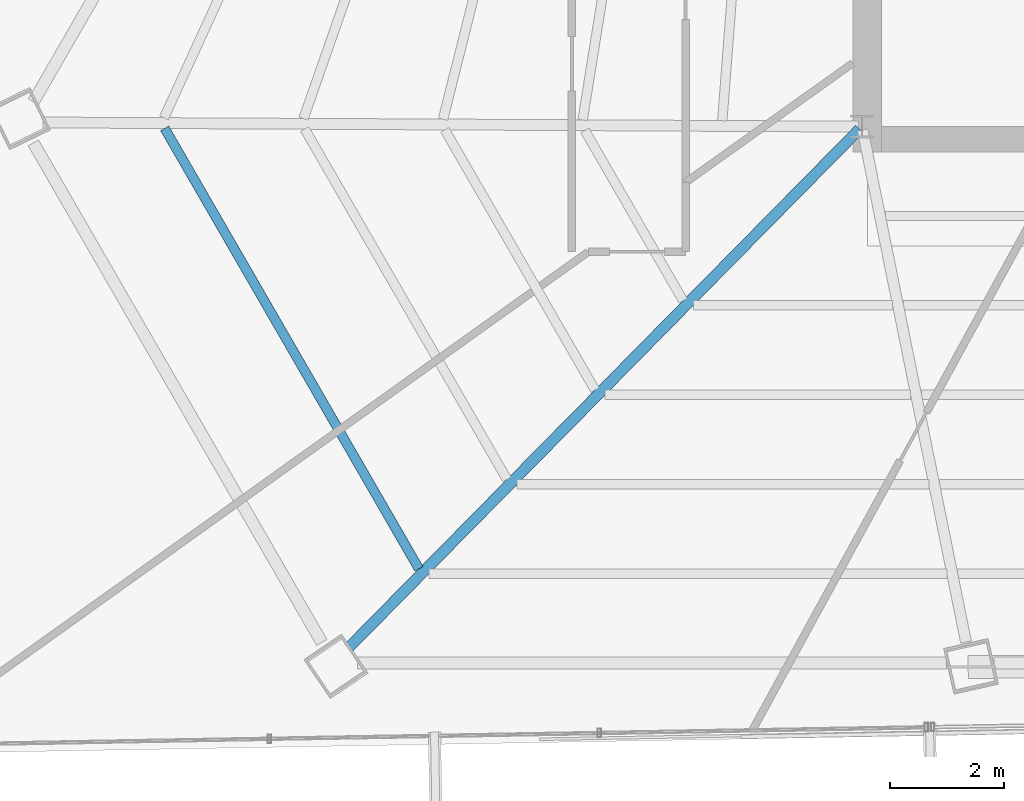
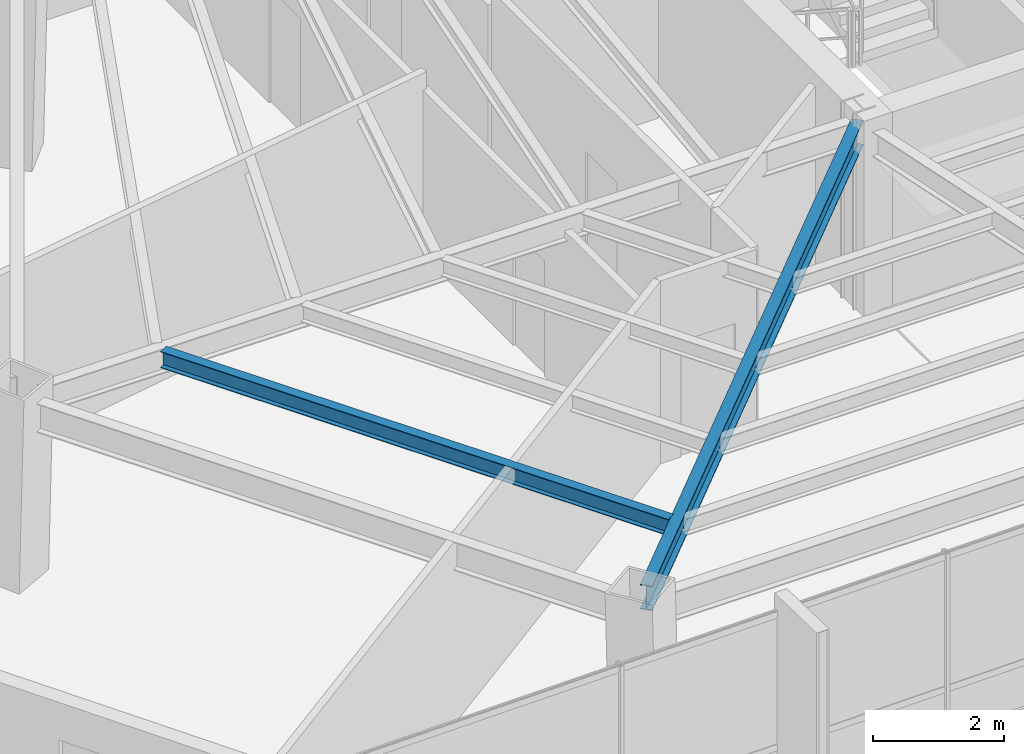
# One storey, part 7 of 42: 2 beams.
"""IFC4 building model written with IfcOpenShell, lengths in metres."""

from ifc_helpers import new_model, si_unit, direction, frame, origin, origin_2d, place, context, subcontext, project, spatial, i_section, extrude, source, transform, mapped, material, material_profile, profile_set, type_object, type_shapes, element, save


model = new_model("IFC4")

# Units and contexts
model_context = context("Model", 3, precision=1e-05, world=origin(), true_north=direction((0.0, 1.0)))
body_context = subcontext(model_context, "Body", "Model", "MODEL_VIEW")
ifc_project = project(units=[si_unit("LENGTHUNIT", "METRE"), si_unit("AREAUNIT", "SQUARE_METRE"), si_unit("VOLUMEUNIT", "CUBIC_METRE"), si_unit("PLANEANGLEUNIT", "RADIAN"), si_unit("MASSUNIT", "GRAM", prefix="KILO")], contexts=[model_context])

# Site, building, storey
site_placement = place(None, origin())
site = spatial("IfcSite", under=ifc_project, at=site_placement, CompositionType="ELEMENT")
building_placement = place(site_placement, origin())
building = spatial("IfcBuilding", under=site, at=building_placement, Name="Caelisora Broadcast Tower", CompositionType="ELEMENT")
storey_placement = place(building_placement, frame((0.0, 0.0, 184.050048828125)))
storey = spatial("IfcBuildingStorey", under=building, at=storey_placement, Name="L48", CompositionType="ELEMENT", Elevation=184.050048828125)

# Beams
ifc_material = material(Name="Steel Grade 350 (AS/NZS 3679.1)", Category="steel")
ifc_material_profile_1 = material_profile(ifc_material, i_section(OverallWidth=0.19091796875, OverallDepth=0.46044921875, WebThickness=0.010009765625, FlangeThickness=0.01611328125, at=origin_2d()), Name="Steel Grade 350 (AS/NZS 3679.1)")
ifc_profile_set_1 = profile_set([ifc_material_profile_1], Name="Steel Grade 350 (AS/NZS 3679.1)")
beam_type_1 = type_object("IfcBeamType", Name="PG06", PredefinedType="BEAM", material=ifc_profile_set_1)
shared_shape_1 = source(origin(), body_context, "Body", "SweptSolid", [
    extrude(i_section(OverallWidth=0.19091796875, OverallDepth=0.46044921875, WebThickness=0.010009765625, FlangeThickness=0.01611328125, at=origin_2d()), origin(), (0.0, 0.0, 1.0), 12.7998046875),
])
type_shapes(beam_type_1, [shared_shape_1])
beam_1_placement = place(storey_placement, frame((30.4580078125, 17.357421875, 3.169677734375), z_axis=(-0.701784367452, -0.71238943114, 0.0), x_axis=(0.71238943114, -0.701784367452, 0.0)))
element("IfcBeam", 1, at=beam_1_placement, inside=storey, type_object=beam_type_1, Name="L48 beam PG06", PredefinedType="BEAM", context=body_context, shape_type="MappedRepresentation", body=[
    mapped(shared_shape_1, transform((0.0, 0.0, 0.0), scale=1.0)),
])
ifc_material_profile_2 = material_profile(ifc_material, i_section(OverallWidth=0.166015625, OverallDepth=0.30712890625, WebThickness=0.006591796875, FlangeThickness=0.01171875, at=origin_2d()), Name="Steel Grade 350 (AS/NZS 3679.1)")
ifc_profile_set_2 = profile_set([ifc_material_profile_2], Name="Steel Grade 350 (AS/NZS 3679.1)")
beam_type_2 = type_object("IfcBeamType", Name="SB03", PredefinedType="JOIST", material=ifc_profile_set_2)
shared_shape_2 = source(origin(), body_context, "Body", "SweptSolid", [
    extrude(i_section(OverallWidth=0.166015625, OverallDepth=0.30712890625, WebThickness=0.006591796875, FlangeThickness=0.01171875, at=origin_2d()), origin(), (0.0, 0.0, 1.0), 8.94140625),
])
type_shapes(beam_type_2, [shared_shape_2])
beam_2_placement = place(storey_placement, frame((18.24072265625, 17.369384765625, 3.246337890625), z_axis=(0.500003717096, -0.866023257707, 0.0), x_axis=(0.866023257707, 0.500003717096, 0.0)))
element("IfcBeam", 2, at=beam_2_placement, inside=storey, type_object=beam_type_2, Name="L48 beam SB03", PredefinedType="JOIST", context=body_context, shape_type="MappedRepresentation", body=[
    mapped(shared_shape_2, transform((0.0, 0.0, 0.0), scale=1.0)),
])

save(model, "model.ifc")
